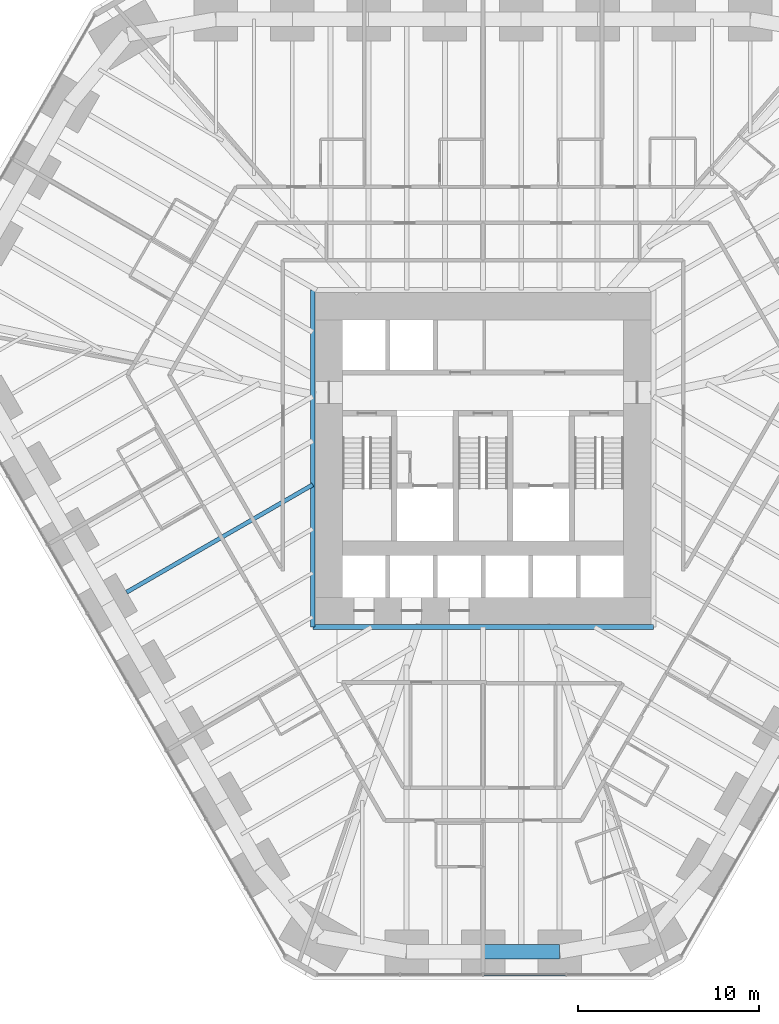
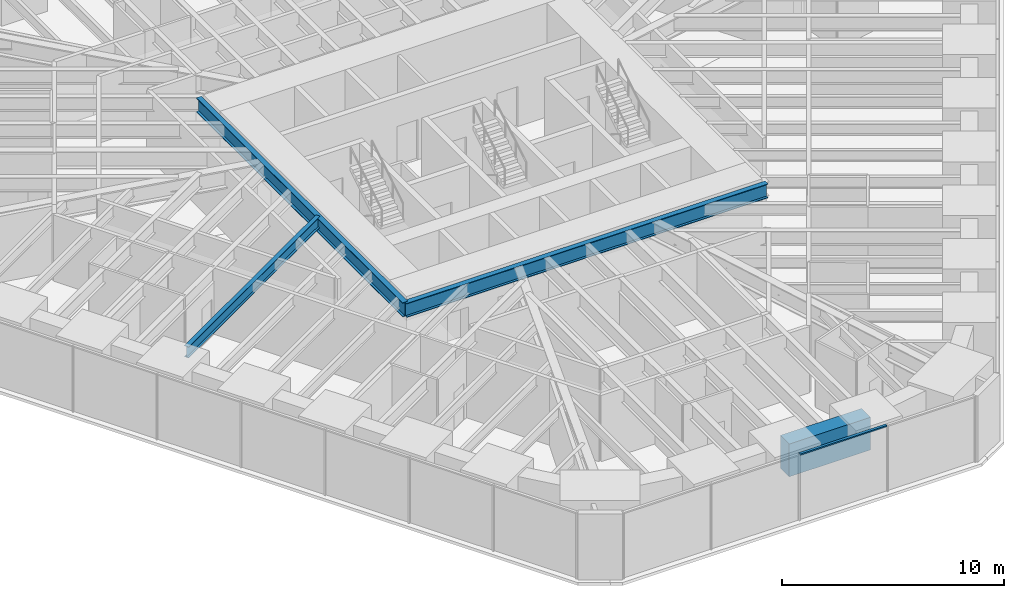
# One storey, part 4 of 17: 4 beams, 1 member, 1 element without a shape of its own.
"""IFC4 building model written with IfcOpenShell, lengths in metres."""

from ifc_helpers import new_model, si_unit, direction, frame, origin, origin_2d, place, context, subcontext, project, spatial, rectangle, i_section, extrude, material, material_profile, profile_set, type_object, element, aggregate, save


model = new_model("IFC4")

# Units and contexts
model_context = context("Model", 3, precision=1e-05, world=origin(), true_north=direction((0.0, 1.0)))
body_context = subcontext(model_context, "Body", "Model", "MODEL_VIEW")
ifc_project = project(units=[si_unit("LENGTHUNIT", "METRE"), si_unit("AREAUNIT", "SQUARE_METRE"), si_unit("VOLUMEUNIT", "CUBIC_METRE"), si_unit("PLANEANGLEUNIT", "RADIAN"), si_unit("MASSUNIT", "GRAM", prefix="KILO")], contexts=[model_context])

# Site, building, storey
site_placement = place(None, origin())
site = spatial("IfcSite", under=ifc_project, at=site_placement, CompositionType="ELEMENT")
building_placement = place(site_placement, origin())
building = spatial("IfcBuilding", under=site, at=building_placement, Name="Sandreach Pilgrim Tower", CompositionType="ELEMENT")
storey_placement = place(building_placement, frame((0.0, 0.0, 45.800048828125)))
storey = spatial("IfcBuildingStorey", under=building, at=storey_placement, Name="L10", CompositionType="ELEMENT", Elevation=45.800048828125)

# Curtain wall, member
ifc_material_1 = material(Name="Aluminium framed curtain wall", Category="aluminium")
curtain_wall_type = type_object("IfcCurtainWallType", Name="Hostel tower curtain wall", PredefinedType="NOTDEFINED", material=ifc_material_1)
curtain_wall_placement = place(storey_placement, origin())
curtain_wall = element("IfcCurtainWall", 1, at=curtain_wall_placement, inside=storey, type_object=curtain_wall_type, Name="CW-1 L10 S", PredefinedType="NOTDEFINED")
ifc_material_2 = material(Name="Aluminium extrusion", Category="aluminium")
ifc_material_profile_1 = material_profile(ifc_material_2, rectangle(XDim=0.139892578125, YDim=0.070068359375, at=origin_2d()), Name="CW-1T 140X70")
ifc_profile_set_1 = profile_set([ifc_material_profile_1], Name="Aluminium extrusion")
member_type = type_object("IfcMemberType", Name="CW-1 transom", PredefinedType="USERDEFINED", material=ifc_profile_set_1)
member_placement = place(storey_placement, frame((4.553466796875, -30.010986328125, 3.60498046875), z_axis=(-1.0, 0.0, 0.0), x_axis=(0.0, -1.0, 0.0)))
member = element("IfcMember", 2, at=member_placement, type_object=member_type, Name="CW-1 head transom 2", ObjectType="TRANSOM", PredefinedType="USERDEFINED", context=body_context, shape_type="SweptSolid", body=[
    extrude(rectangle(XDim=0.139892578125, YDim=0.070068359375, at=origin_2d()), origin(), (0.0, 0.0, 1.0), 4.52099609375),
])
aggregate(curtain_wall, [member])

# Beams
ifc_material_3 = material(Name="Steel ASTM A992 Grade 50", Category="steel")
ifc_material_profile_2 = material_profile(ifc_material_3, i_section(OverallWidth=0.2666015625, OverallDepth=0.77978515625, WebThickness=0.0166015625, FlangeThickness=0.030029296875, at=origin_2d()), Name="W30X148")
ifc_profile_set_2 = profile_set([ifc_material_profile_2], Name="Steel ASTM A992 Grade 50")
beam_type_1 = type_object("IfcBeamType", Name="Core edge beam W30X148", PredefinedType="BEAM", material=ifc_profile_set_2)
beam_1_placement = place(storey_placement, frame((9.393310546875, -10.84326171875, 3.25), z_axis=(-1.0, 0.0, 0.0), x_axis=(0.0, -1.0, 0.0)))
element("IfcBeam", 3, at=beam_1_placement, inside=storey, type_object=beam_type_1, Name="BM L10 CES", PredefinedType="BEAM", context=body_context, shape_type="SweptSolid", body=[
    extrude(i_section(OverallWidth=0.2666015625, OverallDepth=0.77978515625, WebThickness=0.0166015625, FlangeThickness=0.030029296875, at=origin_2d()), origin(), (0.0, 0.0, 1.0), 18.78662109375),
])
beam_2_placement = place(storey_placement, frame((-9.393310546875, -10.84326171875, 3.25), z_axis=(0.0, 1.0, 0.0), x_axis=(-1.0, 0.0, 0.0)))
element("IfcBeam", 4, at=beam_2_placement, inside=storey, type_object=beam_type_1, Name="BM L10 CEW", PredefinedType="BEAM", context=body_context, shape_type="SweptSolid", body=[
    extrude(i_section(OverallWidth=0.2666015625, OverallDepth=0.77978515625, WebThickness=0.0166015625, FlangeThickness=0.030029296875, at=origin_2d()), origin(), (0.0, 0.0, 1.0), 18.586669921875),
])
ifc_material_4 = material(Name="Steel ASTM A992 Grade 50", Category="steel")
ifc_material_profile_3 = material_profile(ifc_material_4, i_section(OverallWidth=0.23046875, OverallDepth=0.6171875, WebThickness=0.01318359375, FlangeThickness=0.022216796875, at=origin_2d()), Name="W24X94")
ifc_profile_set_3 = profile_set([ifc_material_profile_3], Name="Steel ASTM A992 Grade 50")
beam_type_2 = type_object("IfcBeamType", Name="Floor beam W24X94", PredefinedType="BEAM", material=ifc_profile_set_3)
beam_3_placement = place(storey_placement, frame((-19.662353515625, -8.92138671875, 3.331298828125), z_axis=(0.866029924088, 0.499992170523, 0.0), x_axis=(-0.499992170523, 0.866029924088, 0.0)))
element("IfcBeam", 5, at=beam_3_placement, inside=storey, type_object=beam_type_2, Name="BM L10 F31", PredefinedType="BEAM", context=body_context, shape_type="SweptSolid", body=[
    extrude(i_section(OverallWidth=0.23046875, OverallDepth=0.6171875, WebThickness=0.01318359375, FlangeThickness=0.022216796875, at=origin_2d()), origin(), (0.0, 0.0, 1.0), 11.857666015625),
])
ifc_material_5 = material(Name="Concrete 10000 psi", Category="concrete")
ifc_material_profile_4 = material_profile(ifc_material_5, rectangle(XDim=0.800048828125, YDim=1.800048828125, at=origin_2d()), Name="RC800X1800")
ifc_profile_set_4 = profile_set([ifc_material_profile_4], Name="Concrete 10000 psi")
beam_type_3 = type_object("IfcBeamType", Name="Spandrel beam RC800X1800", PredefinedType="SPANDREL", material=ifc_profile_set_4)
beam_4_placement = place(storey_placement, frame((4.222412109375, -28.7509765625, 2.739990234375), z_axis=(-1.0, 0.0, 0.0), x_axis=(0.0, -1.0, 0.0)))
element("IfcBeam", 6, at=beam_4_placement, inside=storey, type_object=beam_type_3, Name="BM L10 SP23", PredefinedType="SPANDREL", context=body_context, shape_type="SweptSolid", body=[
    extrude(rectangle(XDim=0.800048828125, YDim=1.800048828125, at=origin_2d()), origin(), (0.0, 0.0, 1.0), 4.222412109375),
])

save(model, "model.ifc")
